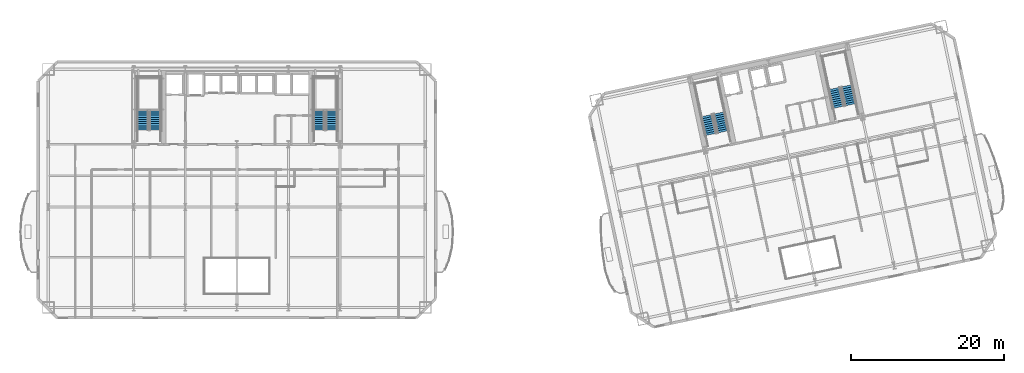
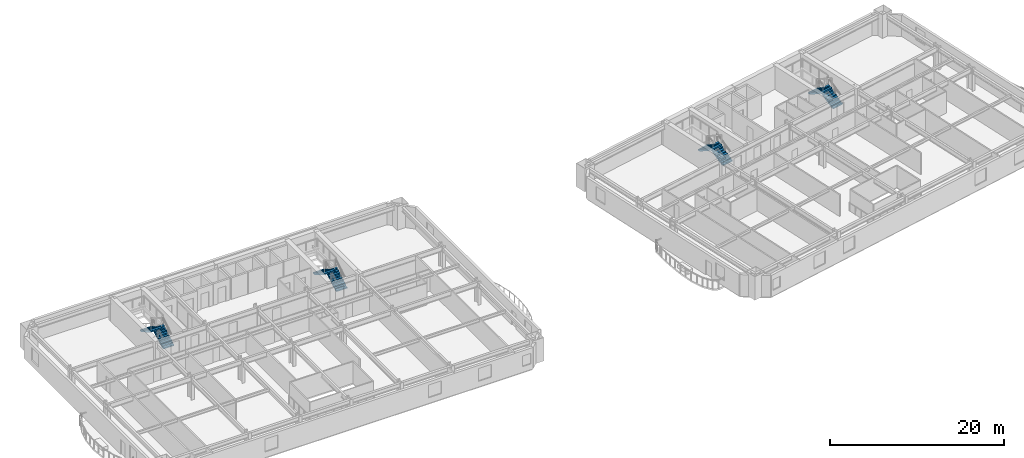
# One storey, part 10 of 16: 8 stair flights, 4 elements without a shape of their own.
"""IFC4 building model written with IfcOpenShell, lengths in metres."""

from ifc_helpers import new_model, si_unit, direction, frame, origin, place, context, subcontext, project, spatial, polyline, outline, extrude, material, type_object, element, aggregate, save


model = new_model("IFC4")

# Units and contexts
model_context = context("Model", 3, precision=1e-05, world=origin(), true_north=direction((0.0, 1.0)))
body_context = subcontext(model_context, "Body", "Model", "MODEL_VIEW")
ifc_project = project(units=[si_unit("LENGTHUNIT", "METRE"), si_unit("AREAUNIT", "SQUARE_METRE"), si_unit("VOLUMEUNIT", "CUBIC_METRE"), si_unit("PLANEANGLEUNIT", "RADIAN"), si_unit("MASSUNIT", "GRAM", prefix="KILO")], contexts=[model_context])

# Site, building, storey
site_placement = place(None, origin())
site = spatial("IfcSite", under=ifc_project, at=site_placement, CompositionType="ELEMENT")
building_placement = place(site_placement, origin())
building = spatial("IfcBuilding", under=site, at=building_placement, Name="Haevon Station Towers", CompositionType="ELEMENT")
storey_placement = place(building_placement, frame((0.0, 0.0, 57.0)))
storey = spatial("IfcBuildingStorey", under=building, at=storey_placement, Name="L14", CompositionType="ELEMENT", Elevation=57.0)

# Stair, stair flights
ifc_material = material(Name="Concrete C40/50", Category="concrete")
stair_type = type_object("IfcStairType", Name="STR-DL1450", PredefinedType="USERDEFINED", material=ifc_material)
stair_1_placement = place(storey_placement, origin())
stair_1 = element("IfcStair", 1, at=stair_1_placement, inside=storey, type_object=stair_type, Name="L14 Escape Stair ST1", ObjectType="TWO_RETURN_STAIR", PredefinedType="USERDEFINED")
stair_flight_type = type_object("IfcStairFlightType", Name="STF-ST1450", PredefinedType="STRAIGHT", material=ifc_material)
stair_flight_1_placement = place(storey_placement, frame((26.85498046875, 40.050048828125, 0.0), z_axis=(0.0, 0.0, 1.0), x_axis=(0.0, 1.0, 0.0)))
stair_flight_1 = element("IfcStairFlight", 2, at=stair_flight_1_placement, type_object=stair_flight_type, Name="L14 ST1 Flight 1", NumberOfRisers=10, NumberOfTreads=9, PredefinedType="STRAIGHT", RiserHeight=0.165, TreadLength=0.28, context=body_context, shape_type="SweptSolid", body=[
    extrude(outline(polyline([(0.0, 0.0), (0.0, 0.1650390625), (0.280029296875, 0.1650390625), (0.280029296875, 0.330078125), (0.56005859375, 0.330078125), (0.56005859375, 0.4951171875), (0.840087890625, 0.4951171875), (0.840087890625, 0.659912109375), (1.1201171875, 0.659912109375), (1.1201171875, 0.824951171875), (1.39990234375, 0.824951171875), (1.39990234375, 0.989990234375), (1.679931640625, 0.989990234375), (1.679931640625, 1.155029296875), (1.9599609375, 1.155029296875), (1.9599609375, 1.320068359375), (2.239990234375, 1.320068359375), (2.239990234375, 1.485107421875), (2.52001953125, 1.485107421875), (2.52001953125, 1.64990234375), (2.52001953125, 1.29931640625), (0.31494140625, 0.0), (0.0, 0.0)])), frame((0.0, 0.72509765625, 0.0), z_axis=(0.0, -1.0, 0.0), x_axis=(1.0, 0.0, 0.0)), (0.0, 0.0, 1.0), 1.449951171875),
])
stair_flight_2_placement = place(storey_placement, frame((25.205078125, 42.570068359375, 1.64990234375), z_axis=(0.0, 0.0, 1.0), x_axis=(0.0, -1.0, 0.0)))
stair_flight_2 = element("IfcStairFlight", 3, at=stair_flight_2_placement, type_object=stair_flight_type, Name="L14 ST1 Flight 2", NumberOfRisers=10, NumberOfTreads=9, PredefinedType="STRAIGHT", RiserHeight=0.165, TreadLength=0.28, context=body_context, shape_type="SweptSolid", body=[
    extrude(outline(polyline([(0.0, 0.0), (0.0, 0.1650390625), (0.280029296875, 0.1650390625), (0.280029296875, 0.330078125), (0.56005859375, 0.330078125), (0.56005859375, 0.4951171875), (0.840087890625, 0.4951171875), (0.840087890625, 0.659912109375), (1.1201171875, 0.659912109375), (1.1201171875, 0.824951171875), (1.39990234375, 0.824951171875), (1.39990234375, 0.989990234375), (1.679931640625, 0.989990234375), (1.679931640625, 1.155029296875), (1.9599609375, 1.155029296875), (1.9599609375, 1.320068359375), (2.239990234375, 1.320068359375), (2.239990234375, 1.485107421875), (2.52001953125, 1.485107421875), (2.52001953125, 1.64990234375), (2.52001953125, 1.29931640625), (0.31494140625, 0.0), (0.0, 0.0)])), frame((0.0, 0.72509765625, 0.0), z_axis=(0.0, -1.0, 0.0), x_axis=(1.0, 0.0, 0.0)), (0.0, 0.0, 1.0), 1.449951171875),
])
aggregate(stair_1, [stair_flight_1, stair_flight_2])

stair_2_placement = place(storey_placement, origin())
stair_2 = element("IfcStair", 4, at=stair_2_placement, inside=storey, type_object=stair_type, Name="L14 Escape Stair ST2", ObjectType="TWO_RETURN_STAIR", PredefinedType="USERDEFINED")
stair_flight_3_placement = place(storey_placement, frame((49.89501953125, 40.050048828125, 0.0), z_axis=(0.0, 0.0, 1.0), x_axis=(0.0, 1.0, 0.0)))
stair_flight_3 = element("IfcStairFlight", 5, at=stair_flight_3_placement, type_object=stair_flight_type, Name="L14 ST2 Flight 1", NumberOfRisers=10, NumberOfTreads=9, PredefinedType="STRAIGHT", RiserHeight=0.165, TreadLength=0.28, context=body_context, shape_type="SweptSolid", body=[
    extrude(outline(polyline([(0.0, 0.0), (0.0, 0.1650390625), (0.280029296875, 0.1650390625), (0.280029296875, 0.330078125), (0.56005859375, 0.330078125), (0.56005859375, 0.4951171875), (0.840087890625, 0.4951171875), (0.840087890625, 0.659912109375), (1.1201171875, 0.659912109375), (1.1201171875, 0.824951171875), (1.39990234375, 0.824951171875), (1.39990234375, 0.989990234375), (1.679931640625, 0.989990234375), (1.679931640625, 1.155029296875), (1.9599609375, 1.155029296875), (1.9599609375, 1.320068359375), (2.239990234375, 1.320068359375), (2.239990234375, 1.485107421875), (2.52001953125, 1.485107421875), (2.52001953125, 1.64990234375), (2.52001953125, 1.29931640625), (0.31494140625, 0.0), (0.0, 0.0)])), frame((0.0, 0.72509765625, 0.0), z_axis=(0.0, -1.0, 0.0), x_axis=(1.0, 0.0, 0.0)), (0.0, 0.0, 1.0), 1.449951171875),
])
stair_flight_4_placement = place(storey_placement, frame((48.2451171875, 42.570068359375, 1.64990234375), z_axis=(0.0, 0.0, 1.0), x_axis=(0.0, -1.0, 0.0)))
stair_flight_4 = element("IfcStairFlight", 6, at=stair_flight_4_placement, type_object=stair_flight_type, Name="L14 ST2 Flight 2", NumberOfRisers=10, NumberOfTreads=9, PredefinedType="STRAIGHT", RiserHeight=0.165, TreadLength=0.28, context=body_context, shape_type="SweptSolid", body=[
    extrude(outline(polyline([(0.0, 0.0), (0.0, 0.1650390625), (0.280029296875, 0.1650390625), (0.280029296875, 0.330078125), (0.56005859375, 0.330078125), (0.56005859375, 0.4951171875), (0.840087890625, 0.4951171875), (0.840087890625, 0.659912109375), (1.1201171875, 0.659912109375), (1.1201171875, 0.824951171875), (1.39990234375, 0.824951171875), (1.39990234375, 0.989990234375), (1.679931640625, 0.989990234375), (1.679931640625, 1.155029296875), (1.9599609375, 1.155029296875), (1.9599609375, 1.320068359375), (2.239990234375, 1.320068359375), (2.239990234375, 1.485107421875), (2.52001953125, 1.485107421875), (2.52001953125, 1.64990234375), (2.52001953125, 1.29931640625), (0.31494140625, 0.0), (0.0, 0.0)])), frame((0.0, 0.72509765625, 0.0), z_axis=(0.0, -1.0, 0.0), x_axis=(1.0, 0.0, 0.0)), (0.0, 0.0, 1.0), 1.449951171875),
])
aggregate(stair_2, [stair_flight_3, stair_flight_4])

stair_3_placement = place(storey_placement, origin())
stair_3 = element("IfcStair", 7, at=stair_3_placement, inside=storey, type_object=stair_type, Name="L14 Escape Stair ST3", ObjectType="TWO_RETURN_STAIR", PredefinedType="USERDEFINED")
stair_flight_5_placement = place(storey_placement, frame((101.1015625, 39.8330078125, 0.0), z_axis=(0.0, 0.0, 1.0), x_axis=(-0.207911690818, 0.978147600734, 0.0)))
stair_flight_5 = element("IfcStairFlight", 8, at=stair_flight_5_placement, type_object=stair_flight_type, Name="L14 ST3 Flight 1", NumberOfRisers=10, NumberOfTreads=9, PredefinedType="STRAIGHT", RiserHeight=0.165, TreadLength=0.28, context=body_context, shape_type="SweptSolid", body=[
    extrude(outline(polyline([(0.0, 0.0), (0.0, 0.1650390625), (0.280029296875, 0.1650390625), (0.280029296875, 0.330078125), (0.56005859375, 0.330078125), (0.56005859375, 0.4951171875), (0.840087890625, 0.4951171875), (0.840087890625, 0.659912109375), (1.1201171875, 0.659912109375), (1.1201171875, 0.824951171875), (1.39990234375, 0.824951171875), (1.39990234375, 0.989990234375), (1.679931640625, 0.989990234375), (1.679931640625, 1.155029296875), (1.9599609375, 1.155029296875), (1.9599609375, 1.320068359375), (2.239990234375, 1.320068359375), (2.239990234375, 1.485107421875), (2.52001953125, 1.485107421875), (2.52001953125, 1.64990234375), (2.52001953125, 1.29931640625), (0.31494140625, 0.0), (0.0, 0.0)])), frame((0.0, 0.72509765625, 0.0), z_axis=(0.0, -1.0, 0.0), x_axis=(1.0, 0.0, 0.0)), (0.0, 0.0, 1.0), 1.449951171875),
])
stair_flight_6_placement = place(storey_placement, frame((98.9638671875, 41.955078125, 1.64990234375), z_axis=(0.0, 0.0, 1.0), x_axis=(0.207911690818, -0.978147600734, 0.0)))
stair_flight_6 = element("IfcStairFlight", 9, at=stair_flight_6_placement, type_object=stair_flight_type, Name="L14 ST3 Flight 2", NumberOfRisers=10, NumberOfTreads=9, PredefinedType="STRAIGHT", RiserHeight=0.165, TreadLength=0.28, context=body_context, shape_type="SweptSolid", body=[
    extrude(outline(polyline([(0.0, 0.0), (0.0, 0.1650390625), (0.280029296875, 0.1650390625), (0.280029296875, 0.330078125), (0.56005859375, 0.330078125), (0.56005859375, 0.4951171875), (0.840087890625, 0.4951171875), (0.840087890625, 0.659912109375), (1.1201171875, 0.659912109375), (1.1201171875, 0.824951171875), (1.39990234375, 0.824951171875), (1.39990234375, 0.989990234375), (1.679931640625, 0.989990234375), (1.679931640625, 1.155029296875), (1.9599609375, 1.155029296875), (1.9599609375, 1.320068359375), (2.239990234375, 1.320068359375), (2.239990234375, 1.485107421875), (2.52001953125, 1.485107421875), (2.52001953125, 1.64990234375), (2.52001953125, 1.29931640625), (0.31494140625, 0.0), (0.0, 0.0)])), frame((0.0, 0.72509765625, 0.0), z_axis=(0.0, -1.0, 0.0), x_axis=(1.0, 0.0, 0.0)), (0.0, 0.0, 1.0), 1.449951171875),
])
aggregate(stair_3, [stair_flight_5, stair_flight_6])

stair_4_placement = place(storey_placement, origin())
stair_4 = element("IfcStair", 10, at=stair_4_placement, inside=storey, type_object=stair_type, Name="L14 Escape Stair ST4", ObjectType="TWO_RETURN_STAIR", PredefinedType="USERDEFINED")
stair_flight_7_placement = place(storey_placement, frame((117.788818359375, 43.380126953125, 0.0), z_axis=(0.0, 0.0, 1.0), x_axis=(-0.207911690818, 0.978147600734, 0.0)))
stair_flight_7 = element("IfcStairFlight", 11, at=stair_flight_7_placement, type_object=stair_flight_type, Name="L14 ST4 Flight 1", NumberOfRisers=10, NumberOfTreads=9, PredefinedType="STRAIGHT", RiserHeight=0.165, TreadLength=0.28, context=body_context, shape_type="SweptSolid", body=[
    extrude(outline(polyline([(0.0, 0.0), (0.0, 0.1650390625), (0.280029296875, 0.1650390625), (0.280029296875, 0.330078125), (0.56005859375, 0.330078125), (0.56005859375, 0.4951171875), (0.840087890625, 0.4951171875), (0.840087890625, 0.659912109375), (1.1201171875, 0.659912109375), (1.1201171875, 0.824951171875), (1.39990234375, 0.824951171875), (1.39990234375, 0.989990234375), (1.679931640625, 0.989990234375), (1.679931640625, 1.155029296875), (1.9599609375, 1.155029296875), (1.9599609375, 1.320068359375), (2.239990234375, 1.320068359375), (2.239990234375, 1.485107421875), (2.52001953125, 1.485107421875), (2.52001953125, 1.64990234375), (2.52001953125, 1.29931640625), (0.31494140625, 0.0), (0.0, 0.0)])), frame((0.0, 0.72509765625, 0.0), z_axis=(0.0, -1.0, 0.0), x_axis=(1.0, 0.0, 0.0)), (0.0, 0.0, 1.0), 1.449951171875),
])
stair_flight_8_placement = place(storey_placement, frame((115.65087890625, 45.501953125, 1.64990234375), z_axis=(0.0, 0.0, 1.0), x_axis=(0.207911690818, -0.978147600734, 0.0)))
stair_flight_8 = element("IfcStairFlight", 12, at=stair_flight_8_placement, type_object=stair_flight_type, Name="L14 ST4 Flight 2", NumberOfRisers=10, NumberOfTreads=9, PredefinedType="STRAIGHT", RiserHeight=0.165, TreadLength=0.28, context=body_context, shape_type="SweptSolid", body=[
    extrude(outline(polyline([(0.0, 0.0), (0.0, 0.1650390625), (0.280029296875, 0.1650390625), (0.280029296875, 0.330078125), (0.56005859375, 0.330078125), (0.56005859375, 0.4951171875), (0.840087890625, 0.4951171875), (0.840087890625, 0.659912109375), (1.1201171875, 0.659912109375), (1.1201171875, 0.824951171875), (1.39990234375, 0.824951171875), (1.39990234375, 0.989990234375), (1.679931640625, 0.989990234375), (1.679931640625, 1.155029296875), (1.9599609375, 1.155029296875), (1.9599609375, 1.320068359375), (2.239990234375, 1.320068359375), (2.239990234375, 1.485107421875), (2.52001953125, 1.485107421875), (2.52001953125, 1.64990234375), (2.52001953125, 1.29931640625), (0.31494140625, 0.0), (0.0, 0.0)])), frame((0.0, 0.72509765625, 0.0), z_axis=(0.0, -1.0, 0.0), x_axis=(1.0, 0.0, 0.0)), (0.0, 0.0, 1.0), 1.449951171875),
])
aggregate(stair_4, [stair_flight_7, stair_flight_8])

save(model, "model.ifc")
